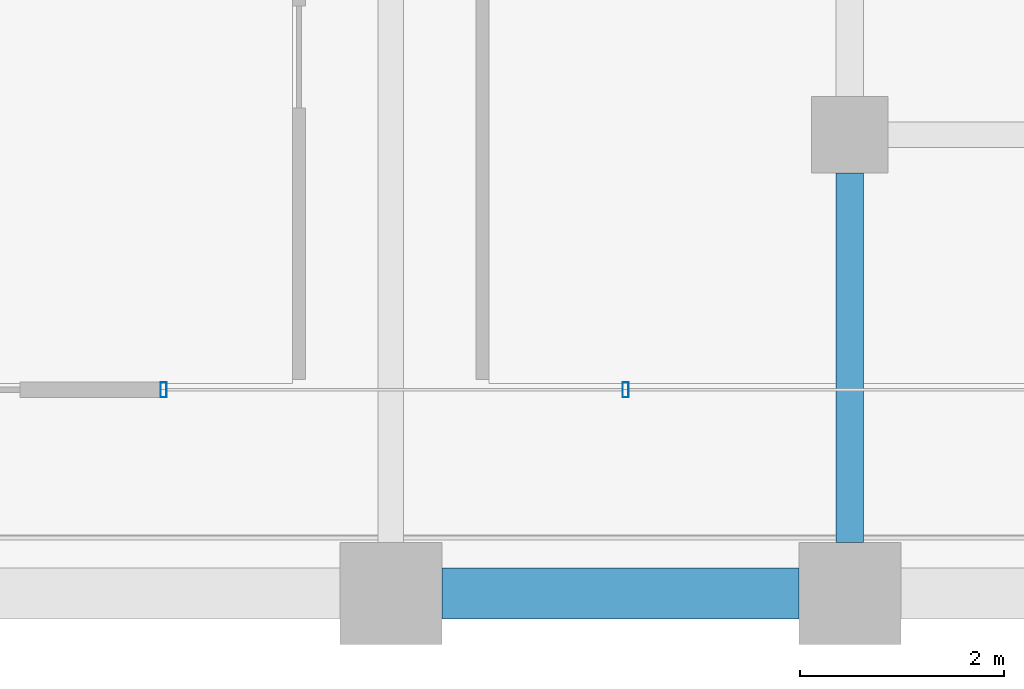
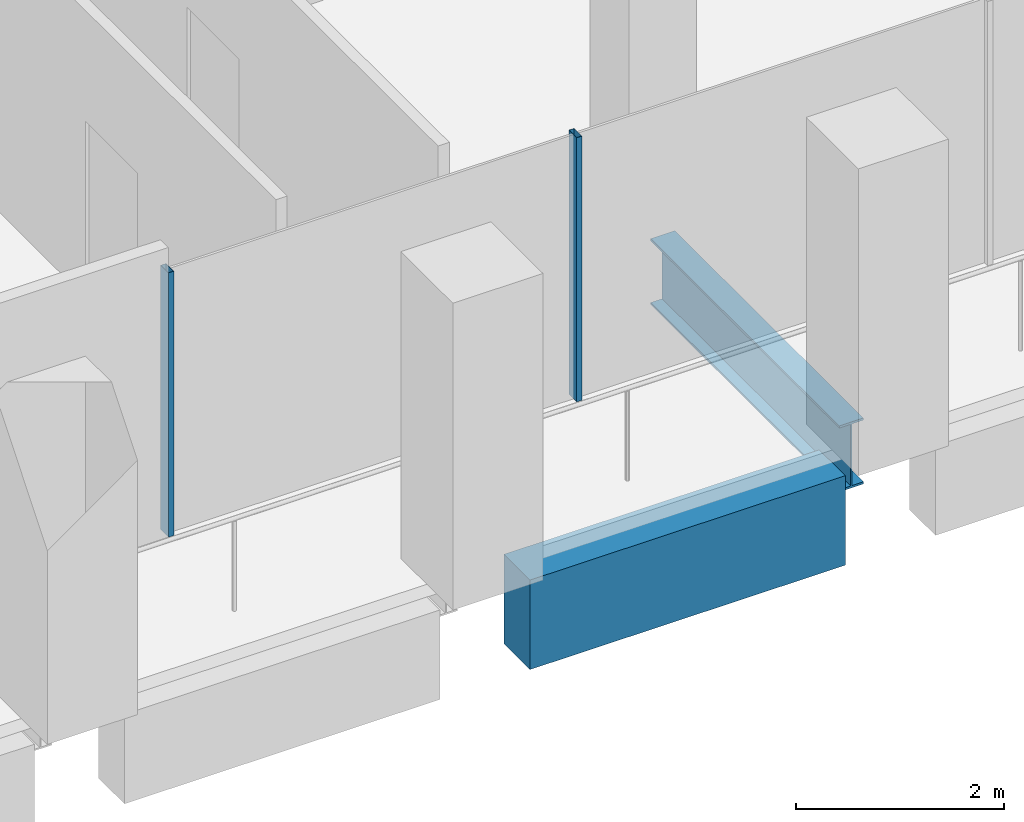
# One storey, part 9 of 46: 2 beams, 2 members, 1 element without a shape of its own.
"""IFC4 building model written with IfcOpenShell, lengths in metres."""

from ifc_helpers import new_model, si_unit, direction, frame, origin, origin_2d, place, context, subcontext, project, spatial, rectangle, hollow_rectangle, i_section, extrude, material, material_profile, profile_set, type_object, element, aggregate, save


model = new_model("IFC4")

# Units and contexts
model_context = context("Model", 3, precision=1e-05, world=origin(), true_north=direction((0.0, 1.0)))
body_context = subcontext(model_context, "Body", "Model", "MODEL_VIEW")
ifc_project = project(units=[si_unit("LENGTHUNIT", "METRE"), si_unit("AREAUNIT", "SQUARE_METRE"), si_unit("VOLUMEUNIT", "CUBIC_METRE"), si_unit("PLANEANGLEUNIT", "RADIAN"), si_unit("MASSUNIT", "GRAM", prefix="KILO")], contexts=[model_context])

# Site, building, storey
site_placement = place(None, origin())
site = spatial("IfcSite", under=ifc_project, at=site_placement, CompositionType="ELEMENT")
building_placement = place(site_placement, origin())
building = spatial("IfcBuilding", under=site, at=building_placement, Name="Altepetl Exchange Towers", CompositionType="ELEMENT")
storey_placement = place(building_placement, frame((0.0, 0.0, 135.199951171875)))
storey = spatial("IfcBuildingStorey", under=building, at=storey_placement, Name="L33", CompositionType="ELEMENT", Elevation=135.199951171875)

# Beam
ifc_material_1 = material(Name="Steel S355", Category="steel")
ifc_material_profile_1 = material_profile(ifc_material_1, i_section(OverallWidth=0.26806640625, OverallDepth=0.77392578125, WebThickness=0.015380859375, FlangeThickness=0.025390625, at=origin_2d()), Name="W30X132")
ifc_profile_set_1 = profile_set([ifc_material_profile_1], Name="Steel S355")
beam_type_1 = type_object("IfcBeamType", Name="Girder W30X132", PredefinedType="BEAM", material=ifc_profile_set_1)
beam_1_placement = place(storey_placement, frame((58.5, 31.125, -0.536865234375), z_axis=(0.0, -1.0, 0.0), x_axis=(1.0, 0.0, 0.0)))
element("IfcBeam", 1, at=beam_1_placement, inside=storey, type_object=beam_type_1, Name="gd:A:L33:005", PredefinedType="BEAM", context=body_context, shape_type="SweptSolid", body=[
    extrude(i_section(OverallWidth=0.26806640625, OverallDepth=0.77392578125, WebThickness=0.015380859375, FlangeThickness=0.025390625, at=origin_2d()), origin(), (0.0, 0.0, 1.0), 3.625),
])

# Curtain wall, members
ifc_material_2 = material(Name="Aluminium 6063-T6 glazing", Category="aluminium")
curtain_wall_type = type_object("IfcCurtainWallType", Name="Loggia glazing system", PredefinedType="NOTDEFINED", material=ifc_material_2)
curtain_wall_placement = place(storey_placement, origin())
curtain_wall = element("IfcCurtainWall", 2, at=curtain_wall_placement, inside=storey, type_object=curtain_wall_type, Name="CW1 run", PredefinedType="NOTDEFINED")
ifc_material_3 = material(Name="Aluminium 6063-T6", Category="aluminium")
ifc_material_profile_2 = material_profile(ifc_material_3, hollow_rectangle(XDim=0.06005859375, YDim=0.14990234375, WallThickness=0.0029296875, at=origin_2d()), Name="Mullion 60x150 aluminium")
ifc_profile_set_2 = profile_set([ifc_material_profile_2], Name="Aluminium 6063-T6")
member_type = type_object("IfcMemberType", Name="Mullion 60x150 aluminium", PredefinedType="MULLION", material=ifc_profile_set_2)
member_1_placement = place(storey_placement, frame((51.77294921875, 29.0, 0.0)))
member_1 = element("IfcMember", 3, at=member_1_placement, type_object=member_type, Name="MU1 mullion", PredefinedType="MULLION", context=body_context, shape_type="SweptSolid", body=[
    extrude(hollow_rectangle(XDim=0.06005859375, YDim=0.14990234375, WallThickness=0.0029296875, at=origin_2d()), origin(), (0.0, 0.0, 1.0), 3.10009765625),
])
member_2_placement = place(storey_placement, frame((56.303466796875, 29.0, 0.0)))
member_2 = element("IfcMember", 4, at=member_2_placement, type_object=member_type, Name="MU1 mullion", PredefinedType="MULLION", context=body_context, shape_type="SweptSolid", body=[
    extrude(hollow_rectangle(XDim=0.06005859375, YDim=0.14990234375, WallThickness=0.0029296875, at=origin_2d()), origin(), (0.0, 0.0, 1.0), 3.10009765625),
])
aggregate(curtain_wall, [member_1, member_2])

# Beam
ifc_material_4 = material(Name="Concrete C50/60 precast with cantera blanca facing", Category="concrete")
ifc_material_profile_3 = material_profile(ifc_material_4, rectangle(XDim=0.5, YDim=1.050048828125, at=origin_2d()), Name="500 x 1050")
ifc_profile_set_3 = profile_set([ifc_material_profile_3], Name="Concrete C50/60 precast with cantera blanca facing")
beam_type_2 = type_object("IfcBeamType", Name="Spandrel beam 500x1050 cantera blanca", PredefinedType="SPANDREL", material=ifc_profile_set_3)
beam_2_placement = place(storey_placement, frame((54.5, 27.0, -0.675048828125), z_axis=(1.0, 0.0, 0.0), x_axis=(0.0, 1.0, 0.0)))
element("IfcBeam", 5, at=beam_2_placement, inside=storey, type_object=beam_type_2, Name="sp:A:L33:005", PredefinedType="SPANDREL", context=body_context, shape_type="SweptSolid", body=[
    extrude(rectangle(XDim=0.5, YDim=1.050048828125, at=origin_2d()), origin(), (0.0, 0.0, 1.0), 3.5),
])

save(model, "model.ifc")
